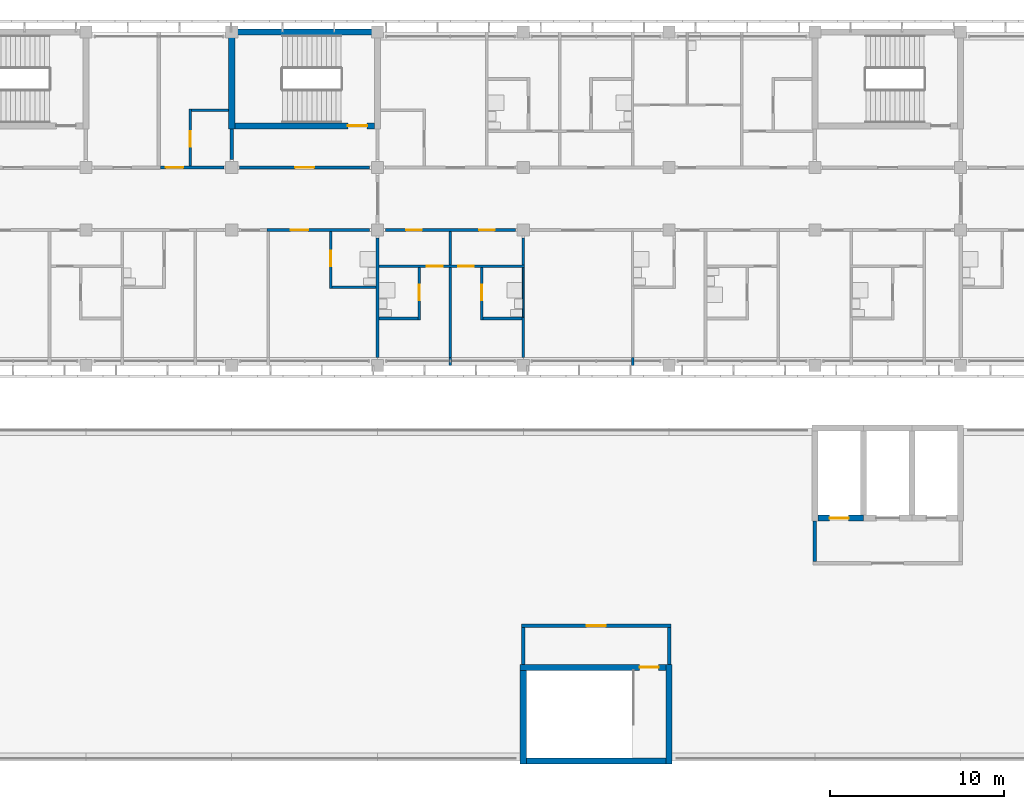
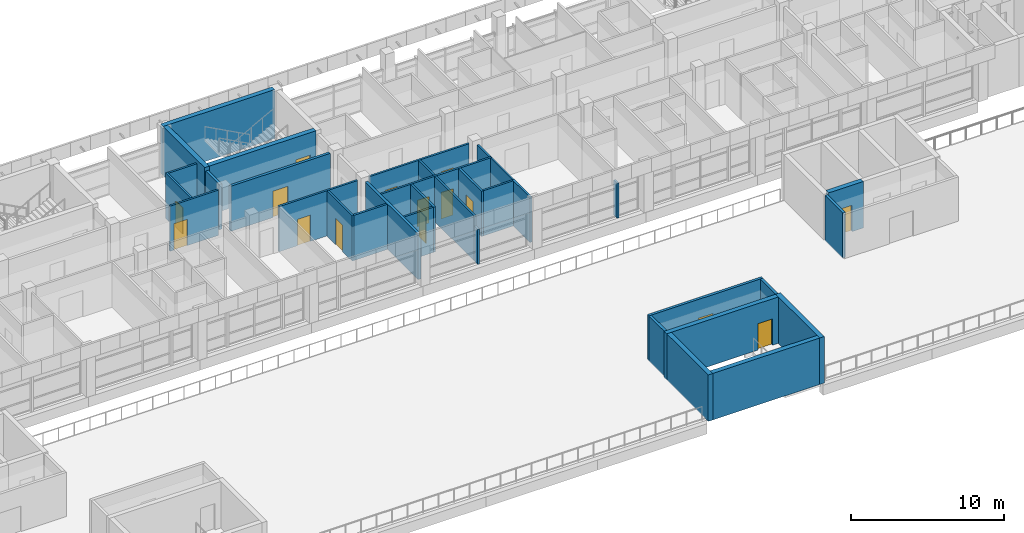
# One storey, part 22 of 46: 34 walls, 15 doors, 15 openings.
"""IFC4 building model written with IfcOpenShell, lengths in metres."""

from ifc_helpers import new_model, si_unit, direction, frame, frame_2d, origin, place, context, subcontext, project, spatial, rectangle, extrude, material, layer, layer_set, type_object, element, fill, save


model = new_model("IFC4")

# Units and contexts
model_context = context("Model", 3, precision=1e-05, world=origin(), true_north=direction((0.0, 1.0)))
body_context = subcontext(model_context, "Body", "Model", "MODEL_VIEW")
ifc_project = project(units=[si_unit("LENGTHUNIT", "METRE"), si_unit("AREAUNIT", "SQUARE_METRE"), si_unit("VOLUMEUNIT", "CUBIC_METRE"), si_unit("PLANEANGLEUNIT", "RADIAN"), si_unit("MASSUNIT", "GRAM", prefix="KILO")], contexts=[model_context])

# Site, building, storey
site_placement = place(None, origin())
site = spatial("IfcSite", under=ifc_project, at=site_placement, CompositionType="ELEMENT")
building_placement = place(site_placement, origin())
building = spatial("IfcBuilding", under=site, at=building_placement, Name="Bougainvillea Quay General Hospital", CompositionType="ELEMENT")
storey_placement = place(building_placement, frame((0.0, 0.0, 28.800048828125)))
storey = spatial("IfcBuildingStorey", under=building, at=storey_placement, Name="L06", CompositionType="ELEMENT", Elevation=28.800048828125)

# Wall
ifc_material_1 = material(Name="Gypsum board partition on steel studs", Category="steel")
ifc_layer_1 = layer(ifc_material_1, 0.10009765625)
ifc_layer_set_1 = layer_set([ifc_layer_1], Name="Gypsum board partition on steel studs")
wall_type_1 = type_object("IfcWallType", Name="Partition 100 Gypsum board partition", PredefinedType="PARTITIONING", material=ifc_layer_set_1)
wall_1_placement = place(storey_placement, frame((117.60009765625, 143.175048828125, 0.0), z_axis=(0.0, 0.0, 1.0), x_axis=(0.0, 1.0, 0.0)))
element("IfcWall", 1, at=wall_1_placement, inside=storey, type_object=wall_type_1, Name="Partition 100 mm", PredefinedType="PARTITIONING", context=body_context, shape_type="SweptSolid", body=[
    extrude(rectangle(XDim=2.849853515625, YDim=0.10009765625, at=frame_2d((1.4248046875, 0.0))), origin(), (0.0, 0.0, 1.0), 3.599853515625),
])

# Wall, openings, doors
ifc_material_2 = material(Name="Gypsum board partition on steel studs, insulated", Category="steel")
ifc_layer_2 = layer(ifc_material_2, 0.14990234375)
ifc_layer_set_2 = layer_set([ifc_layer_2], Name="Gypsum board partition on steel studs, insulated")
wall_type_2 = type_object("IfcWallType", Name="Partition 150 Gypsum board partition", PredefinedType="PARTITIONING", material=ifc_layer_set_2)
wall_2_placement = place(storey_placement, frame((117.675048828125, 146.10009765625, 0.0), z_axis=(0.0, 0.0, 1.0), x_axis=(-1.0, 0.0, 0.0)))
wall_2 = element("IfcWall", 2, at=wall_2_placement, inside=storey, type_object=wall_type_2, Name="Partition 150 mm", PredefinedType="PARTITIONING", context=body_context, shape_type="SweptSolid", body=[
    extrude(rectangle(XDim=8.375, YDim=0.14990234375, at=frame_2d((4.1875, 0.0))), origin(), (0.0, 0.0, 1.0), 3.599853515625),
])
opening_1_placement = place(wall_2_placement, frame((4.72509765625, 0.0, 0.0)))
opening_1 = element("IfcOpeningElement", 3, at=opening_1_placement, cuts=wall_2, Name="Opening L06.045", PredefinedType="OPENING", context=body_context, shape_type="SweptSolid", body=[
    extrude(rectangle(XDim=0.89990234375, YDim=2.10009765625, at=frame_2d((0.449951171875, 1.050048828125))), frame((0.0, 0.0849609375, 0.0), z_axis=(0.0, -1.0, 0.0), x_axis=(1.0, 0.0, 0.0)), (0.0, 0.0, 1.0), 0.169921875),
])
opening_2_placement = place(wall_2_placement, frame((2.925048828125, 0.0, 0.0)))
opening_2 = element("IfcOpeningElement", 4, at=opening_2_placement, cuts=wall_2, Name="Opening L06.048", PredefinedType="OPENING", context=body_context, shape_type="SweptSolid", body=[
    extrude(rectangle(XDim=0.89990234375, YDim=2.10009765625, at=frame_2d((0.449951171875, 1.050048828125))), frame((0.0, 0.0849609375, 0.0), z_axis=(0.0, -1.0, 0.0), x_axis=(1.0, 0.0, 0.0)), (0.0, 0.0, 1.0), 0.169921875),
])
ifc_material_3 = material(Name="Solid-core timber door leaf in steel frame", Category="steel")
door_type_1 = type_object("IfcDoorType", Name="Single leaf door 900x2100 FD30S", OperationType="NOTDEFINED", PredefinedType="DOOR", material=ifc_material_3)
door_1_placement = place(opening_1_placement, origin())
door_1 = element("IfcDoor", 5, at=door_1_placement, inside=storey, type_object=door_type_1, Name="DT16 L06.045", OperationType="SINGLE_SWING_RIGHT", OverallHeight=2.10009765625, OverallWidth=0.89990234375, PredefinedType="DOOR", context=body_context, shape_type="SweptSolid", body=[
    extrude(rectangle(XDim=0.89990234375, YDim=2.10009765625, at=frame_2d((0.449951171875, 1.050048828125))), frame((0.0, 0.02490234375, 0.0), z_axis=(0.0, -1.0, 0.0), x_axis=(1.0, 0.0, 0.0)), (0.0, 0.0, 1.0), 0.050048828125),
])
fill(opening_1, door_1)
door_2_placement = place(opening_2_placement, origin())
door_2 = element("IfcDoor", 6, at=door_2_placement, inside=storey, type_object=door_type_1, Name="DT16 L06.048", OperationType="SINGLE_SWING_LEFT", OverallHeight=2.10009765625, OverallWidth=0.89990234375, PredefinedType="DOOR", context=body_context, shape_type="SweptSolid", body=[
    extrude(rectangle(XDim=0.89990234375, YDim=2.10009765625, at=frame_2d((0.449951171875, 1.050048828125))), frame((0.0, 0.02490234375, 0.0), z_axis=(0.0, -1.0, 0.0), x_axis=(1.0, 0.0, 0.0)), (0.0, 0.0, 1.0), 0.050048828125),
])
fill(opening_2, door_2)

# Walls
wall_3_placement = place(storey_placement, frame((113.39990234375, 140.39990234375, 0.0), z_axis=(0.0, 0.0, 1.0), x_axis=(0.0, 1.0, 0.0)))
element("IfcWall", 7, at=wall_3_placement, inside=storey, type_object=wall_type_2, Name="Partition 150 mm", PredefinedType="PARTITIONING", context=body_context, shape_type="SweptSolid", body=[
    extrude(rectangle(XDim=0.4501953125, YDim=0.14990234375, at=frame_2d((0.22509765625, 0.0))), origin(), (0.0, 0.0, 1.0), 2.780029296875),
])
wall_4_placement = place(storey_placement, frame((113.39990234375, 140.85009765625, 0.0), z_axis=(0.0, 0.0, 1.0), x_axis=(0.0, 1.0, 0.0)))
element("IfcWall", 8, at=wall_4_placement, inside=storey, type_object=wall_type_2, Name="Partition 150 mm", PredefinedType="PARTITIONING", context=body_context, shape_type="SweptSolid", body=[
    extrude(rectangle(XDim=5.1748046875, YDim=0.14990234375, at=frame_2d((2.58740234375, 0.0))), origin(), (0.0, 0.0, 1.0), 3.599853515625),
])
wall_5_placement = place(storey_placement, frame((113.39990234375, 146.175048828125, 0.0), z_axis=(0.0, 0.0, 1.0), x_axis=(0.0, 1.0, 0.0)))
element("IfcWall", 9, at=wall_5_placement, inside=storey, type_object=wall_type_2, Name="Partition 150 mm", PredefinedType="PARTITIONING", context=body_context, shape_type="SweptSolid", body=[
    extrude(rectangle(XDim=1.949951171875, YDim=0.14990234375, at=frame_2d((0.97509765625, 0.0))), origin(), (0.0, 0.0, 1.0), 3.599853515625),
])
wall_6_placement = place(storey_placement, frame((123.89990234375, 140.39990234375, 0.0), z_axis=(0.0, 0.0, 1.0), x_axis=(0.0, 1.0, 0.0)))
element("IfcWall", 10, at=wall_6_placement, inside=storey, type_object=wall_type_2, Name="Partition 150 mm", PredefinedType="PARTITIONING", context=body_context, shape_type="SweptSolid", body=[
    extrude(rectangle(XDim=0.4501953125, YDim=0.14990234375, at=frame_2d((0.22509765625, 0.0))), origin(), (0.0, 0.0, 1.0), 2.780029296875),
])

# Wall, opening, door
wall_7_placement = place(storey_placement, frame((98.39990234375, 151.875, 0.0), z_axis=(0.0, 0.0, 1.0), x_axis=(0.0, 1.0, 0.0)))
wall_7 = element("IfcWall", 11, at=wall_7_placement, inside=storey, type_object=wall_type_2, Name="Partition 150 mm", PredefinedType="PARTITIONING", context=body_context, shape_type="SweptSolid", body=[
    extrude(rectangle(XDim=3.300048828125, YDim=0.14990234375, at=frame_2d((1.64990234375, 0.0))), origin(), (0.0, 0.0, 1.0), 3.599853515625),
])
opening_3_placement = place(wall_7_placement, frame((1.125, 0.0, 0.0)))
opening_3 = element("IfcOpeningElement", 12, at=opening_3_placement, cuts=wall_7, Name="Opening L06.043", PredefinedType="OPENING", context=body_context, shape_type="SweptSolid", body=[
    extrude(rectangle(XDim=0.89990234375, YDim=2.10009765625, at=frame_2d((0.449951171875, 1.050048828125))), frame((0.0, 0.0849609375, 0.0), z_axis=(0.0, -1.0, 0.0), x_axis=(1.0, 0.0, 0.0)), (0.0, 0.0, 1.0), 0.169921875),
])
door_type_2 = type_object("IfcDoorType", Name="Single leaf door 900x2100", OperationType="NOTDEFINED", PredefinedType="DOOR", material=ifc_material_3)
door_3_placement = place(opening_3_placement, frame((0.89990234375, 0.0, 0.0), z_axis=(0.0, 0.0, 1.0), x_axis=(-1.0, 0.0, 0.0)))
door_3 = element("IfcDoor", 13, at=door_3_placement, inside=storey, type_object=door_type_2, Name="DT07 L06.043", OperationType="SINGLE_SWING_RIGHT", OverallHeight=2.10009765625, OverallWidth=0.89990234375, PredefinedType="DOOR", context=body_context, shape_type="SweptSolid", body=[
    extrude(rectangle(XDim=0.89990234375, YDim=2.10009765625, at=frame_2d((0.449951171875, 1.050048828125))), frame((0.0, 0.02490234375, 0.0), z_axis=(0.0, -1.0, 0.0), x_axis=(1.0, 0.0, 0.0)), (0.0, 0.0, 1.0), 0.050048828125),
])
fill(opening_3, door_3)

wall_8_placement = place(storey_placement, frame((106.5, 144.824951171875, 0.0), z_axis=(0.0, 0.0, 1.0), x_axis=(0.0, 1.0, 0.0)))
wall_8 = element("IfcWall", 14, at=wall_8_placement, inside=storey, type_object=wall_type_2, Name="Partition 150 mm", PredefinedType="PARTITIONING", context=body_context, shape_type="SweptSolid", body=[
    extrude(rectangle(XDim=3.300048828125, YDim=0.14990234375, at=frame_2d((1.64990234375, 0.0))), origin(), (0.0, 0.0, 1.0), 3.599853515625),
])
opening_4_placement = place(wall_8_placement, frame((1.27490234375, 0.0, 0.0)))
opening_4 = element("IfcOpeningElement", 15, at=opening_4_placement, cuts=wall_8, Name="Opening L06.036", PredefinedType="OPENING", context=body_context, shape_type="SweptSolid", body=[
    extrude(rectangle(XDim=0.89990234375, YDim=2.10009765625, at=frame_2d((0.449951171875, 1.050048828125))), frame((0.0, 0.0849609375, 0.0), z_axis=(0.0, -1.0, 0.0), x_axis=(1.0, 0.0, 0.0)), (0.0, 0.0, 1.0), 0.169921875),
])
door_4_placement = place(opening_4_placement, frame((0.89990234375, 0.0, 0.0), z_axis=(0.0, 0.0, 1.0), x_axis=(-1.0, 0.0, 0.0)))
door_4 = element("IfcDoor", 16, at=door_4_placement, inside=storey, type_object=door_type_2, Name="DT07 L06.036", OperationType="SINGLE_SWING_LEFT", OverallHeight=2.10009765625, OverallWidth=0.89990234375, PredefinedType="DOOR", context=body_context, shape_type="SweptSolid", body=[
    extrude(rectangle(XDim=0.89990234375, YDim=2.10009765625, at=frame_2d((0.449951171875, 1.050048828125))), frame((0.0, 0.02490234375, 0.0), z_axis=(0.0, -1.0, 0.0), x_axis=(1.0, 0.0, 0.0)), (0.0, 0.0, 1.0), 0.050048828125),
])
fill(opening_4, door_4)

wall_9_placement = place(storey_placement, frame((111.60009765625, 143.02490234375, 0.0), z_axis=(0.0, 0.0, 1.0), x_axis=(0.0, 1.0, 0.0)))
wall_9 = element("IfcWall", 17, at=wall_9_placement, inside=storey, type_object=wall_type_2, Name="Partition 150 mm", PredefinedType="PARTITIONING", context=body_context, shape_type="SweptSolid", body=[
    extrude(rectangle(XDim=3.0, YDim=0.14990234375, at=frame_2d((1.5, 0.0))), origin(), (0.0, 0.0, 1.0), 3.599853515625),
])
opening_5_placement = place(wall_9_placement, frame((1.125, 0.0, 0.0)))
opening_5 = element("IfcOpeningElement", 18, at=opening_5_placement, cuts=wall_9, Name="Opening L06.046", PredefinedType="OPENING", context=body_context, shape_type="SweptSolid", body=[
    extrude(rectangle(XDim=0.89990234375, YDim=2.10009765625, at=frame_2d((0.449951171875, 1.050048828125))), frame((0.0, 0.0849609375, 0.0), z_axis=(0.0, -1.0, 0.0), x_axis=(1.0, 0.0, 0.0)), (0.0, 0.0, 1.0), 0.169921875),
])
door_5_placement = place(opening_5_placement, origin())
door_5 = element("IfcDoor", 19, at=door_5_placement, inside=storey, type_object=door_type_2, Name="DT07 L06.046", OperationType="SINGLE_SWING_RIGHT", OverallHeight=2.10009765625, OverallWidth=0.89990234375, PredefinedType="DOOR", context=body_context, shape_type="SweptSolid", body=[
    extrude(rectangle(XDim=0.89990234375, YDim=2.10009765625, at=frame_2d((0.449951171875, 1.050048828125))), frame((0.0, 0.02490234375, 0.0), z_axis=(0.0, -1.0, 0.0), x_axis=(1.0, 0.0, 0.0)), (0.0, 0.0, 1.0), 0.050048828125),
])
fill(opening_5, door_5)

wall_10_placement = place(storey_placement, frame((115.199951171875, 143.02490234375, 0.0), z_axis=(0.0, 0.0, 1.0), x_axis=(0.0, 1.0, 0.0)))
wall_10 = element("IfcWall", 20, at=wall_10_placement, inside=storey, type_object=wall_type_2, Name="Partition 150 mm", PredefinedType="PARTITIONING", context=body_context, shape_type="SweptSolid", body=[
    extrude(rectangle(XDim=3.0, YDim=0.14990234375, at=frame_2d((1.5, 0.0))), origin(), (0.0, 0.0, 1.0), 3.599853515625),
])
opening_6_placement = place(wall_10_placement, frame((1.125, 0.0, 0.0)))
opening_6 = element("IfcOpeningElement", 21, at=opening_6_placement, cuts=wall_10, Name="Opening L06.049", PredefinedType="OPENING", context=body_context, shape_type="SweptSolid", body=[
    extrude(rectangle(XDim=0.89990234375, YDim=2.10009765625, at=frame_2d((0.449951171875, 1.050048828125))), frame((0.0, 0.0849609375, 0.0), z_axis=(0.0, -1.0, 0.0), x_axis=(1.0, 0.0, 0.0)), (0.0, 0.0, 1.0), 0.169921875),
])
door_6_placement = place(opening_6_placement, frame((0.89990234375, 0.0, 0.0), z_axis=(0.0, 0.0, 1.0), x_axis=(-1.0, 0.0, 0.0)))
door_6 = element("IfcDoor", 22, at=door_6_placement, inside=storey, type_object=door_type_2, Name="DT07 L06.049", OperationType="SINGLE_SWING_LEFT", OverallHeight=2.10009765625, OverallWidth=0.89990234375, PredefinedType="DOOR", context=body_context, shape_type="SweptSolid", body=[
    extrude(rectangle(XDim=0.89990234375, YDim=2.10009765625, at=frame_2d((0.449951171875, 1.050048828125))), frame((0.0, 0.02490234375, 0.0), z_axis=(0.0, -1.0, 0.0), x_axis=(1.0, 0.0, 0.0)), (0.0, 0.0, 1.0), 0.050048828125),
])
fill(opening_6, door_6)

# Walls
wall_11_placement = place(storey_placement, frame((106.574951171875, 144.89990234375, 0.0), z_axis=(0.0, 0.0, 1.0), x_axis=(1.0, 0.0, 0.0)))
element("IfcWall", 23, at=wall_11_placement, inside=storey, type_object=wall_type_2, Name="Partition 150 mm", PredefinedType="PARTITIONING", context=body_context, shape_type="SweptSolid", body=[
    extrude(rectangle(XDim=2.525146484375, YDim=0.14990234375, at=frame_2d((1.2626953125, 0.0))), origin(), (0.0, 0.0, 1.0), 3.599853515625),
])
wall_12_placement = place(storey_placement, frame((117.60009765625, 140.85009765625, 0.0), z_axis=(0.0, 0.0, 1.0), x_axis=(0.0, 1.0, 0.0)))
element("IfcWall", 24, at=wall_12_placement, inside=storey, type_object=wall_type_2, Name="Partition 150 mm", PredefinedType="PARTITIONING", context=body_context, shape_type="SweptSolid", body=[
    extrude(rectangle(XDim=2.324951171875, YDim=0.14990234375, at=frame_2d((1.16259765625, 0.0))), origin(), (0.0, 0.0, 1.0), 3.599853515625),
])
wall_13_placement = place(storey_placement, frame((98.47509765625, 155.10009765625, 0.0), z_axis=(0.0, 0.0, 1.0), x_axis=(1.0, 0.0, 0.0)))
element("IfcWall", 25, at=wall_13_placement, inside=storey, type_object=wall_type_2, Name="Partition 150 mm", PredefinedType="PARTITIONING", context=body_context, shape_type="SweptSolid", body=[
    extrude(rectangle(XDim=2.14990234375, YDim=0.14990234375, at=frame_2d((1.074951171875, 0.0))), origin(), (0.0, 0.0, 1.0), 3.599853515625),
])
wall_14_placement = place(storey_placement, frame((109.300048828125, 143.10009765625, 0.0), z_axis=(0.0, 0.0, 1.0), x_axis=(1.0, 0.0, 0.0)))
element("IfcWall", 26, at=wall_14_placement, inside=storey, type_object=wall_type_2, Name="Partition 150 mm", PredefinedType="PARTITIONING", context=body_context, shape_type="SweptSolid", body=[
    extrude(rectangle(XDim=2.224853515625, YDim=0.14990234375, at=frame_2d((1.1123046875, 0.0))), origin(), (0.0, 0.0, 1.0), 3.599853515625),
])
wall_15_placement = place(storey_placement, frame((115.27490234375, 143.10009765625, 0.0), z_axis=(0.0, 0.0, 1.0), x_axis=(1.0, 0.0, 0.0)))
element("IfcWall", 27, at=wall_15_placement, inside=storey, type_object=wall_type_2, Name="Partition 150 mm", PredefinedType="PARTITIONING", context=body_context, shape_type="SweptSolid", body=[
    extrude(rectangle(XDim=2.25, YDim=0.14990234375, at=frame_2d((1.125, 0.0))), origin(), (0.0, 0.0, 1.0), 3.599853515625),
])
wall_16_placement = place(storey_placement, frame((117.60009765625, 146.175048828125, 0.0), z_axis=(0.0, 0.0, 1.0), x_axis=(0.0, 1.0, 0.0)))
element("IfcWall", 28, at=wall_16_placement, inside=storey, type_object=wall_type_2, Name="Partition 150 mm", PredefinedType="PARTITIONING", context=body_context, shape_type="SweptSolid", body=[
    extrude(rectangle(XDim=1.574951171875, YDim=0.14990234375, at=frame_2d((0.78759765625, 0.0))), origin(), (0.0, 0.0, 1.0), 3.599853515625),
])

# Wall, openings, doors
ifc_layer_3 = layer(ifc_material_2, 0.14990234375)
ifc_layer_set_3 = layer_set([ifc_layer_3], Name="Gypsum board partition on steel studs, insulated")
wall_type_3 = type_object("IfcWallType", Name="Partition 150 Gypsum board partition EI 30", PredefinedType="PARTITIONING", material=ifc_layer_set_3)
wall_17_placement = place(storey_placement, frame((117.14990234375, 148.199951171875, 0.0), z_axis=(0.0, 0.0, 1.0), x_axis=(-1.0, 0.0, 0.0)))
wall_17 = element("IfcWall", 29, at=wall_17_placement, inside=storey, type_object=wall_type_3, Name="Partition 150 mm EI 30", PredefinedType="PARTITIONING", context=body_context, shape_type="SweptSolid", body=[
    extrude(rectangle(XDim=7.5, YDim=0.14990234375, at=frame_2d((3.75, 0.0))), origin(), (0.0, 0.0, 1.0), 3.599853515625),
])
opening_7_placement = place(wall_17_placement, frame((5.39990234375, 0.0, 0.0)))
opening_7 = element("IfcOpeningElement", 30, at=opening_7_placement, cuts=wall_17, Name="Opening L06.044", PredefinedType="OPENING", context=body_context, shape_type="SweptSolid", body=[
    extrude(rectangle(XDim=0.89990234375, YDim=2.10009765625, at=frame_2d((0.449951171875, 1.050048828125))), frame((0.0, 0.0849609375, 0.0), z_axis=(0.0, -1.0, 0.0), x_axis=(1.0, 0.0, 0.0)), (0.0, 0.0, 1.0), 0.169921875),
])
opening_8_placement = place(wall_17_placement, frame((1.199951171875, 0.0, 0.0)))
opening_8 = element("IfcOpeningElement", 31, at=opening_8_placement, cuts=wall_17, Name="Opening L06.047", PredefinedType="OPENING", context=body_context, shape_type="SweptSolid", body=[
    extrude(rectangle(XDim=0.89990234375, YDim=2.10009765625, at=frame_2d((0.449951171875, 1.050048828125))), frame((0.0, 0.0849609375, 0.0), z_axis=(0.0, -1.0, 0.0), x_axis=(1.0, 0.0, 0.0)), (0.0, 0.0, 1.0), 0.169921875),
])
door_7_placement = place(opening_7_placement, origin())
door_7 = element("IfcDoor", 32, at=door_7_placement, inside=storey, type_object=door_type_1, Name="DT16 L06.044", OperationType="SINGLE_SWING_RIGHT", OverallHeight=2.10009765625, OverallWidth=0.89990234375, PredefinedType="DOOR", context=body_context, shape_type="SweptSolid", body=[
    extrude(rectangle(XDim=0.89990234375, YDim=2.10009765625, at=frame_2d((0.449951171875, 1.050048828125))), frame((0.0, 0.02490234375, 0.0), z_axis=(0.0, -1.0, 0.0), x_axis=(1.0, 0.0, 0.0)), (0.0, 0.0, 1.0), 0.050048828125),
])
fill(opening_7, door_7)
door_8_placement = place(opening_8_placement, origin())
door_8 = element("IfcDoor", 33, at=door_8_placement, inside=storey, type_object=door_type_1, Name="DT16 L06.047", OperationType="SINGLE_SWING_LEFT", OverallHeight=2.10009765625, OverallWidth=0.89990234375, PredefinedType="DOOR", context=body_context, shape_type="SweptSolid", body=[
    extrude(rectangle(XDim=0.89990234375, YDim=2.10009765625, at=frame_2d((0.449951171875, 1.050048828125))), frame((0.0, 0.02490234375, 0.0), z_axis=(0.0, -1.0, 0.0), x_axis=(1.0, 0.0, 0.0)), (0.0, 0.0, 1.0), 0.050048828125),
])
fill(opening_8, door_8)

# Wall, opening, door
wall_18_placement = place(storey_placement, frame((108.75, 148.199951171875, 0.0), z_axis=(0.0, 0.0, 1.0), x_axis=(-1.0, 0.0, 0.0)))
wall_18 = element("IfcWall", 34, at=wall_18_placement, inside=storey, type_object=wall_type_3, Name="Partition 150 mm EI 30", PredefinedType="PARTITIONING", context=body_context, shape_type="SweptSolid", body=[
    extrude(rectangle(XDim=5.925048828125, YDim=0.14990234375, at=frame_2d((2.96240234375, 0.0))), origin(), (0.0, 0.0, 1.0), 3.599853515625),
])
opening_9_placement = place(wall_18_placement, frame((3.550048828125, 0.0, 0.0)))
opening_9 = element("IfcOpeningElement", 35, at=opening_9_placement, cuts=wall_18, Name="Opening L06.035", PredefinedType="OPENING", context=body_context, shape_type="SweptSolid", body=[
    extrude(rectangle(XDim=1.0, YDim=2.10009765625, at=frame_2d((0.5, 1.050048828125))), frame((0.0, 0.0849609375, 0.0), z_axis=(0.0, -1.0, 0.0), x_axis=(1.0, 0.0, 0.0)), (0.0, 0.0, 1.0), 0.169921875),
])
door_type_3 = type_object("IfcDoorType", Name="Single leaf door 1000x2100 FD30S", OperationType="NOTDEFINED", PredefinedType="DOOR", material=ifc_material_3)
door_9_placement = place(opening_9_placement, origin())
door_9 = element("IfcDoor", 36, at=door_9_placement, inside=storey, type_object=door_type_3, Name="DT15 L06.035", OperationType="SINGLE_SWING_RIGHT", OverallHeight=2.10009765625, OverallWidth=1.0, PredefinedType="DOOR", context=body_context, shape_type="SweptSolid", body=[
    extrude(rectangle(XDim=1.0, YDim=2.10009765625, at=frame_2d((0.5, 1.050048828125))), frame((0.0, 0.02490234375, 0.0), z_axis=(0.0, -1.0, 0.0), x_axis=(1.0, 0.0, 0.0)), (0.0, 0.0, 1.0), 0.050048828125),
])
fill(opening_9, door_9)

wall_19_placement = place(storey_placement, frame((96.699951171875, 151.800048828125, 0.0), z_axis=(0.0, 0.0, 1.0), x_axis=(1.0, 0.0, 0.0)))
wall_19 = element("IfcWall", 37, at=wall_19_placement, inside=storey, type_object=wall_type_3, Name="Partition 150 mm EI 30", PredefinedType="PARTITIONING", context=body_context, shape_type="SweptSolid", body=[
    extrude(rectangle(XDim=3.650146484375, YDim=0.14990234375, at=frame_2d((1.8251953125, 0.0))), origin(), (0.0, 0.0, 1.0), 3.599853515625),
])
opening_10_placement = place(wall_19_placement, frame((0.300048828125, 0.0, 0.0)))
opening_10 = element("IfcOpeningElement", 38, at=opening_10_placement, cuts=wall_19, Name="Opening L06.042", PredefinedType="OPENING", context=body_context, shape_type="SweptSolid", body=[
    extrude(rectangle(XDim=1.0, YDim=2.10009765625, at=frame_2d((0.5, 1.050048828125))), frame((0.0, 0.0849609375, 0.0), z_axis=(0.0, -1.0, 0.0), x_axis=(1.0, 0.0, 0.0)), (0.0, 0.0, 1.0), 0.169921875),
])
door_10_placement = place(opening_10_placement, origin())
door_10 = element("IfcDoor", 39, at=door_10_placement, inside=storey, type_object=door_type_3, Name="DT15 L06.042", OperationType="SINGLE_SWING_LEFT", OverallHeight=2.10009765625, OverallWidth=1.0, PredefinedType="DOOR", context=body_context, shape_type="SweptSolid", body=[
    extrude(rectangle(XDim=1.0, YDim=2.10009765625, at=frame_2d((0.5, 1.050048828125))), frame((0.0, 0.02490234375, 0.0), z_axis=(0.0, -1.0, 0.0), x_axis=(1.0, 0.0, 0.0)), (0.0, 0.0, 1.0), 0.050048828125),
])
fill(opening_10, door_10)

# Wall
ifc_material_4 = material(Name="Fire-rated autoclaved aerated block wall, plastered")
ifc_layer_4 = layer(ifc_material_4, 0.199951171875)
ifc_layer_set_4 = layer_set([ifc_layer_4], Name="Fire-rated autoclaved aerated block wall, plastered")
wall_type_4 = type_object("IfcWallType", Name="Partition 200 Fire-rated autoclaved aerated block wall EI 120", PredefinedType="SOLIDWALL", material=ifc_layer_set_4)
wall_20_placement = place(storey_placement, frame((109.199951171875, 147.75, 0.0), z_axis=(0.0, 0.0, 1.0), x_axis=(0.0, -1.0, 0.0)))
element("IfcWall", 40, at=wall_20_placement, inside=storey, type_object=wall_type_4, Name="Partition 200 mm EI 120", PredefinedType="SOLIDWALL", context=body_context, shape_type="SweptSolid", body=[
    extrude(rectangle(XDim=6.89990234375, YDim=0.199951171875, at=frame_2d((3.449951171875, 0.0))), origin(), (0.0, 0.0, 1.0), 3.599853515625),
])

# Wall, opening, door
wall_21_placement = place(storey_placement, frame((101.25, 151.800048828125, 0.0), z_axis=(0.0, 0.0, 1.0), x_axis=(1.0, 0.0, 0.0)))
wall_21 = element("IfcWall", 41, at=wall_21_placement, inside=storey, type_object=wall_type_4, Name="Partition 200 mm EI 120", PredefinedType="SOLIDWALL", context=body_context, shape_type="SweptSolid", body=[
    extrude(rectangle(XDim=7.5, YDim=0.199951171875, at=frame_2d((3.75, 0.0))), origin(), (0.0, 0.0, 1.0), 3.599853515625),
])
opening_11_placement = place(wall_21_placement, frame((3.199951171875, 0.0, 0.0)))
opening_11 = element("IfcOpeningElement", 42, at=opening_11_placement, cuts=wall_21, Name="Opening L06.122", PredefinedType="OPENING", context=body_context, shape_type="SweptSolid", body=[
    extrude(rectangle(XDim=1.10009765625, YDim=2.10009765625, at=frame_2d((0.550048828125, 1.050048828125))), frame((0.0, 0.10986328125, 0.0), z_axis=(0.0, -1.0, 0.0), x_axis=(1.0, 0.0, 0.0)), (0.0, 0.0, 1.0), 0.219970703125),
])
ifc_material_5 = material(Name="Steel fire door leaf in steel frame", Category="steel")
door_type_4 = type_object("IfcDoorType", Name="Steel single leaf door 1100x2100 FD60", OperationType="NOTDEFINED", PredefinedType="DOOR", material=ifc_material_5)
door_11_placement = place(opening_11_placement, origin())
door_11 = element("IfcDoor", 43, at=door_11_placement, inside=storey, type_object=door_type_4, Name="DT04 L06.122", OperationType="SINGLE_SWING_RIGHT", OverallHeight=2.10009765625, OverallWidth=1.10009765625, PredefinedType="DOOR", context=body_context, shape_type="SweptSolid", body=[
    extrude(rectangle(XDim=1.10009765625, YDim=2.10009765625, at=frame_2d((0.550048828125, 1.050048828125))), frame((0.0, 0.02490234375, 0.0), z_axis=(0.0, -1.0, 0.0), x_axis=(1.0, 0.0, 0.0)), (0.0, 0.0, 1.0), 0.050048828125),
])
fill(opening_11, door_11)

wall_22_placement = place(storey_placement, frame((117.5, 125.39990234375, 0.0), z_axis=(0.0, 0.0, 1.0), x_axis=(1.0, 0.0, 0.0)))
wall_22 = element("IfcWall", 44, at=wall_22_placement, inside=storey, type_object=wall_type_4, Name="Partition 200 mm EI 120", PredefinedType="SOLIDWALL", context=body_context, shape_type="SweptSolid", body=[
    extrude(rectangle(XDim=8.60009765625, YDim=0.199951171875, at=frame_2d((4.300048828125, 0.0))), origin(), (0.0, 0.0, 1.0), 3.599853515625),
])
opening_12_placement = place(wall_22_placement, frame((3.75, 0.0, 0.0)))
opening_12 = element("IfcOpeningElement", 45, at=opening_12_placement, cuts=wall_22, Name="Opening L06.120", PredefinedType="OPENING", context=body_context, shape_type="SweptSolid", body=[
    extrude(rectangle(XDim=1.10009765625, YDim=2.10009765625, at=frame_2d((0.550048828125, 1.050048828125))), frame((0.0, 0.10986328125, 0.0), z_axis=(0.0, -1.0, 0.0), x_axis=(1.0, 0.0, 0.0)), (0.0, 0.0, 1.0), 0.219970703125),
])
door_12_placement = place(opening_12_placement, frame((1.10009765625, 0.0, 0.0), z_axis=(0.0, 0.0, 1.0), x_axis=(-1.0, 0.0, 0.0)))
door_12 = element("IfcDoor", 46, at=door_12_placement, inside=storey, type_object=door_type_4, Name="DT04 L06.120", OperationType="SINGLE_SWING_LEFT", OverallHeight=2.10009765625, OverallWidth=1.10009765625, PredefinedType="DOOR", context=body_context, shape_type="SweptSolid", body=[
    extrude(rectangle(XDim=1.10009765625, YDim=2.10009765625, at=frame_2d((0.550048828125, 1.050048828125))), frame((0.0, 0.02490234375, 0.0), z_axis=(0.0, -1.0, 0.0), x_axis=(1.0, 0.0, 0.0)), (0.0, 0.0, 1.0), 0.050048828125),
])
fill(opening_12, door_12)

# Walls
wall_23_placement = place(storey_placement, frame((134.39990234375, 129.10009765625, 0.0), z_axis=(0.0, 0.0, 1.0), x_axis=(0.0, 1.0, 0.0)))
element("IfcWall", 47, at=wall_23_placement, inside=storey, type_object=wall_type_4, Name="Partition 200 mm EI 120", PredefinedType="SOLIDWALL", context=body_context, shape_type="SweptSolid", body=[
    extrude(rectangle(XDim=2.324951171875, YDim=0.199951171875, at=frame_2d((1.16259765625, 0.0))), origin(), (0.0, 0.0, 1.0), 3.599853515625),
])
for number, where, z_axis, x_axis, name in (
    (48, (117.60009765625, 123.175048828125, 0.0), (0.0, 0.0, 1.0), (0.0, 1.0, 0.0), "Partition 200 mm EI 120"),
    (49, (126.0, 123.175048828125, 0.0), (0.0, 0.0, 1.0), (0.0, 1.0, 0.0), "Partition 200 mm EI 120"),
):
    element("IfcWall", number, at=place(storey_placement, frame(where, z_axis=z_axis, x_axis=x_axis)), inside=storey, type_object=wall_type_4, Name=name, PredefinedType="SOLIDWALL", context=body_context, shape_type="SweptSolid", body=[
        extrude(rectangle(XDim=2.125, YDim=0.199951171875, at=frame_2d((1.0625, 0.0))), origin(), (0.0, 0.0, 1.0), 3.599853515625),
    ])
wall_24_placement = place(storey_placement, frame((100.800048828125, 152.25, 0.0), z_axis=(0.0, 0.0, 1.0), x_axis=(0.0, 1.0, 0.0)))
element("IfcWall", 50, at=wall_24_placement, inside=storey, type_object=wall_type_4, Name="Partition 200 mm EI 120", PredefinedType="SOLIDWALL", context=body_context, shape_type="SweptSolid", body=[
    extrude(rectangle(XDim=1.77490234375, YDim=0.199951171875, at=frame_2d((0.887451171875, 0.0))), origin(), (0.0, 0.0, 1.0), 3.599853515625),
])
ifc_material_6 = material(Name="Concrete C40", Category="concrete")
ifc_layer_5 = layer(ifc_material_6, 0.35009765625)
ifc_layer_set_5 = layer_set([ifc_layer_5], Name="Concrete C40")
wall_type_5 = type_object("IfcWallType", Name="RC SHEAR WALL 350 C40", PredefinedType="SHEAR", material=ifc_layer_set_5)
wall_25_placement = place(storey_placement, frame((100.625, 159.60009765625, 0.0), z_axis=(0.0, 0.0, 1.0), x_axis=(1.0, 0.0, 0.0)))
element("IfcWall", 51, at=wall_25_placement, inside=storey, type_object=wall_type_5, Name="Shear wall L06", PredefinedType="SHEAR", context=body_context, shape_type="SweptSolid", body=[
    extrude(rectangle(XDim=8.39990234375, YDim=0.35009765625, at=frame_2d((4.199951171875, 0.0))), origin(), (0.0, 0.0, 1.0), 3.89990234375),
])
wall_26_placement = place(storey_placement, frame((100.800048828125, 154.02490234375, 0.0), z_axis=(0.0, 0.0, 1.0), x_axis=(0.0, 1.0, 0.0)))
element("IfcWall", 52, at=wall_26_placement, inside=storey, type_object=wall_type_5, Name="Shear wall L06", PredefinedType="SHEAR", context=body_context, shape_type="SweptSolid", body=[
    extrude(rectangle(XDim=5.400146484375, YDim=0.35009765625, at=frame_2d((2.7001953125, 0.0))), origin(), (0.0, 0.0, 1.0), 3.89990234375),
])

# Wall, opening, door
wall_27_placement = place(storey_placement, frame((100.97509765625, 154.199951171875, 0.0), z_axis=(0.0, 0.0, 1.0), x_axis=(1.0, 0.0, 0.0)))
wall_27 = element("IfcWall", 53, at=wall_27_placement, inside=storey, type_object=wall_type_5, Name="Shear wall L06", PredefinedType="SHEAR", context=body_context, shape_type="SweptSolid", body=[
    extrude(rectangle(XDim=8.0498046875, YDim=0.35009765625, at=frame_2d((4.02490234375, 0.0))), origin(), (0.0, 0.0, 1.0), 3.89990234375),
])
opening_13_placement = place(wall_27_placement, frame((6.52490234375, 0.0, 0.0)))
opening_13 = element("IfcOpeningElement", 54, at=opening_13_placement, cuts=wall_27, Name="Opening L06.121", PredefinedType="OPENING", context=body_context, shape_type="SweptSolid", body=[
    extrude(rectangle(XDim=1.10009765625, YDim=2.10009765625, at=frame_2d((0.550048828125, 1.050048828125))), frame((0.0, 0.18505859375, 0.0), z_axis=(0.0, -1.0, 0.0), x_axis=(1.0, 0.0, 0.0)), (0.0, 0.0, 1.0), 0.3701171875),
])
door_13_placement = place(opening_13_placement, origin())
door_13 = element("IfcDoor", 55, at=door_13_placement, inside=storey, type_object=door_type_4, Name="DT04 L06.121", OperationType="SINGLE_SWING_RIGHT", OverallHeight=2.10009765625, OverallWidth=1.10009765625, PredefinedType="DOOR", context=body_context, shape_type="SweptSolid", body=[
    extrude(rectangle(XDim=1.10009765625, YDim=2.10009765625, at=frame_2d((0.550048828125, 1.050048828125))), frame((0.0, 0.02490234375, 0.0), z_axis=(0.0, -1.0, 0.0), x_axis=(1.0, 0.0, 0.0)), (0.0, 0.0, 1.0), 0.050048828125),
])
fill(opening_13, door_13)

wall_28_placement = place(storey_placement, frame((117.425048828125, 123.0, 0.0), z_axis=(0.0, 0.0, 1.0), x_axis=(1.0, 0.0, 0.0)))
wall_28 = element("IfcWall", 56, at=wall_28_placement, inside=storey, type_object=wall_type_5, Name="Shear wall L06", PredefinedType="SHEAR", context=body_context, shape_type="SweptSolid", body=[
    extrude(rectangle(XDim=8.39990234375, YDim=0.35009765625, at=frame_2d((4.199951171875, 0.0))), origin(), (0.0, 0.0, 1.0), 3.699951171875),
])
opening_14_placement = place(wall_28_placement, frame((6.875, 0.0, 0.0)))
opening_14 = element("IfcOpeningElement", 57, at=opening_14_placement, cuts=wall_28, Name="Opening L06.119", PredefinedType="OPENING", context=body_context, shape_type="SweptSolid", body=[
    extrude(rectangle(XDim=1.10009765625, YDim=2.10009765625, at=frame_2d((0.550048828125, 1.050048828125))), frame((0.0, 0.18505859375, 0.0), z_axis=(0.0, -1.0, 0.0), x_axis=(1.0, 0.0, 0.0)), (0.0, 0.0, 1.0), 0.3701171875),
])
door_14_placement = place(opening_14_placement, frame((1.10009765625, 0.0, 0.0), z_axis=(0.0, 0.0, 1.0), x_axis=(-1.0, 0.0, 0.0)))
door_14 = element("IfcDoor", 58, at=door_14_placement, inside=storey, type_object=door_type_4, Name="DT04 L06.119", OperationType="SINGLE_SWING_LEFT", OverallHeight=2.10009765625, OverallWidth=1.10009765625, PredefinedType="DOOR", context=body_context, shape_type="SweptSolid", body=[
    extrude(rectangle(XDim=1.10009765625, YDim=2.10009765625, at=frame_2d((0.550048828125, 1.050048828125))), frame((0.0, 0.02490234375, 0.0), z_axis=(0.0, -1.0, 0.0), x_axis=(1.0, 0.0, 0.0)), (0.0, 0.0, 1.0), 0.050048828125),
])
fill(opening_14, door_14)

# Walls
wall_29_placement = place(storey_placement, frame((117.60009765625, 117.425048828125, 0.0), z_axis=(0.0, 0.0, 1.0), x_axis=(0.0, 1.0, 0.0)))
element("IfcWall", 59, at=wall_29_placement, inside=storey, type_object=wall_type_5, Name="Shear wall L06", PredefinedType="SHEAR", context=body_context, shape_type="SweptSolid", body=[
    extrude(rectangle(XDim=5.39990234375, YDim=0.35009765625, at=frame_2d((2.699951171875, 0.0))), origin(), (0.0, 0.0, 1.0), 3.699951171875),
])
wall_30_placement = place(storey_placement, frame((117.77490234375, 117.60009765625, 0.0), z_axis=(0.0, 0.0, 1.0), x_axis=(1.0, 0.0, 0.0)))
element("IfcWall", 60, at=wall_30_placement, inside=storey, type_object=wall_type_5, Name="Shear wall L06", PredefinedType="SHEAR", context=body_context, shape_type="SweptSolid", body=[
    extrude(rectangle(XDim=8.050048828125, YDim=0.35009765625, at=frame_2d((4.02490234375, 0.0))), origin(), (0.0, 0.0, 1.0), 3.699951171875),
])
wall_31_placement = place(storey_placement, frame((126.0, 117.425048828125, 0.0), z_axis=(0.0, 0.0, 1.0), x_axis=(0.0, 1.0, 0.0)))
element("IfcWall", 61, at=wall_31_placement, inside=storey, type_object=wall_type_5, Name="Shear wall L06", PredefinedType="SHEAR", context=body_context, shape_type="SweptSolid", body=[
    extrude(rectangle(XDim=5.75, YDim=0.35009765625, at=frame_2d((2.875, 0.0))), origin(), (0.0, 0.0, 1.0), 3.699951171875),
])

# Wall, opening, door
wall_32_placement = place(storey_placement, frame((134.574951171875, 131.60009765625, 0.0), z_axis=(0.0, 0.0, 1.0), x_axis=(1.0, 0.0, 0.0)))
wall_32 = element("IfcWall", 62, at=wall_32_placement, inside=storey, type_object=wall_type_5, Name="Shear wall L06", PredefinedType="SHEAR", context=body_context, shape_type="SweptSolid", body=[
    extrude(rectangle(XDim=2.625, YDim=0.35009765625, at=frame_2d((1.3125, 0.0))), origin(), (0.0, 0.0, 1.0), 3.699951171875),
])
opening_15_placement = place(wall_32_placement, frame((0.675048828125, 0.0, 0.0)))
opening_15 = element("IfcOpeningElement", 63, at=opening_15_placement, cuts=wall_32, Name="Opening LD-B2.1-L06", PredefinedType="OPENING", context=body_context, shape_type="SweptSolid", body=[
    extrude(rectangle(XDim=1.10009765625, YDim=2.10009765625, at=frame_2d((0.550048828125, 1.050048828125))), frame((0.0, 0.18505859375, 0.0), z_axis=(0.0, -1.0, 0.0), x_axis=(1.0, 0.0, 0.0)), (0.0, 0.0, 1.0), 0.3701171875),
])
ifc_material_7 = material(Name="Stainless steel centre-opening landing door", Category="steel")
door_type_5 = type_object("IfcDoorType", Name="Lift landing door 1100x2100 E 120", OperationType="DOUBLE_DOOR_SLIDING", PredefinedType="DOOR", material=ifc_material_7)
door_15_placement = place(opening_15_placement, origin())
door_15 = element("IfcDoor", 64, at=door_15_placement, inside=storey, type_object=door_type_5, Name="Lift landing door LB-B2-1 L06", OperationType="DOUBLE_DOOR_SLIDING", OverallHeight=2.10009765625, OverallWidth=1.10009765625, PredefinedType="DOOR", context=body_context, shape_type="SweptSolid", body=[
    extrude(rectangle(XDim=1.10009765625, YDim=2.10009765625, at=frame_2d((0.550048828125, 1.050048828125))), frame((0.0, 0.02490234375, 0.0), z_axis=(0.0, -1.0, 0.0), x_axis=(1.0, 0.0, 0.0)), (0.0, 0.0, 1.0), 0.050048828125),
])
fill(opening_15, door_15)

save(model, "model.ifc")
